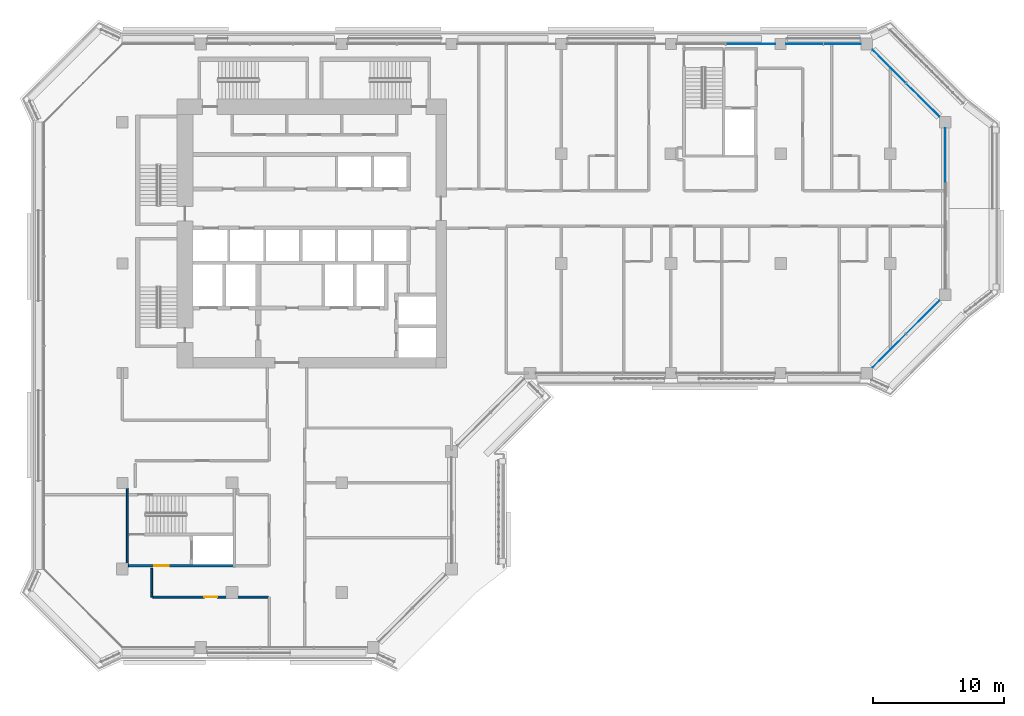
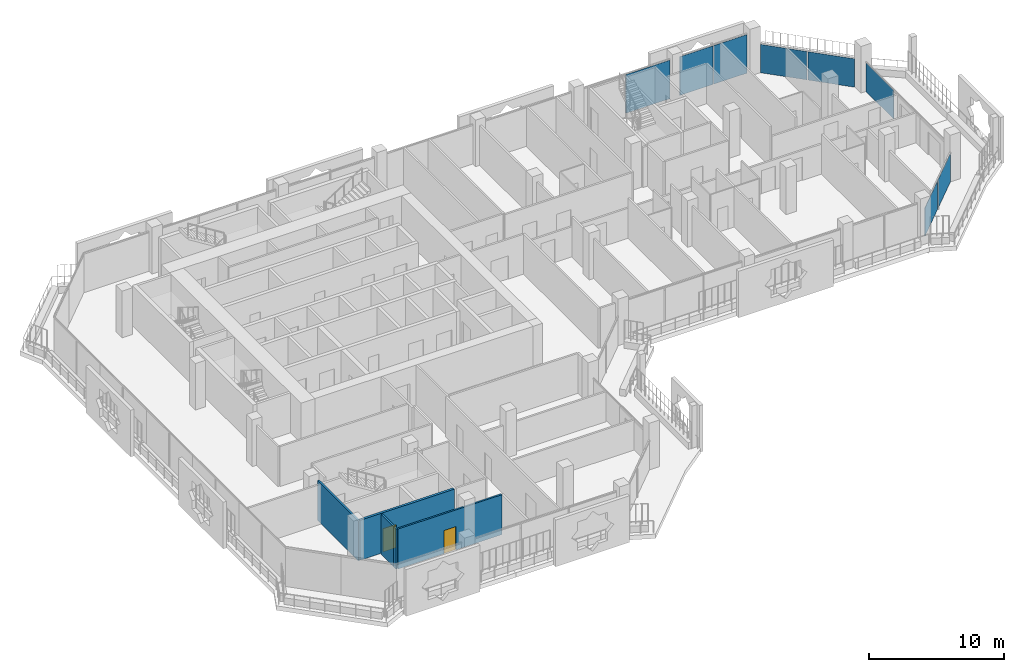
# One storey, part 9 of 22: 8 plates, 5 walls, 2 doors, 2 openings, 4 elements without a shape of their own.
"""IFC4 building model written with IfcOpenShell, lengths in metres."""

from ifc_helpers import new_model, si_unit, direction, frame, frame_2d, origin, origin_2d, place, context, subcontext, project, spatial, rectangle, extrude, material, layer, layer_set, type_object, element, fill, aggregate, save


model = new_model("IFC4")

# Units and contexts
model_context = context("Model", 3, precision=1e-05, world=origin(), true_north=direction((0.0, 1.0)))
body_context = subcontext(model_context, "Body", "Model", "MODEL_VIEW")
ifc_project = project(units=[si_unit("LENGTHUNIT", "METRE"), si_unit("AREAUNIT", "SQUARE_METRE"), si_unit("VOLUMEUNIT", "CUBIC_METRE"), si_unit("PLANEANGLEUNIT", "RADIAN"), si_unit("MASSUNIT", "GRAM", prefix="KILO")], contexts=[model_context])

# Site, building, storey
site_placement = place(None, origin())
site = spatial("IfcSite", under=ifc_project, at=site_placement, CompositionType="ELEMENT")
building_placement = place(site_placement, origin())
building = spatial("IfcBuilding", under=site, at=building_placement, Name="Kawkab Arch Medical Tower", CompositionType="ELEMENT")
storey_placement = place(building_placement, frame((0.0, 0.0, 251.60009765625)))
storey = spatial("IfcBuildingStorey", under=building, at=storey_placement, Name="L58", CompositionType="ELEMENT", Elevation=251.60009765625)

# Curtain wall, plate
ifc_material_1 = material(Name="Bronze anodised aluminium curtain wall frame", Category="aluminium")
ifc_layer_1 = layer(ifc_material_1, 0.159912109375)
ifc_layer_set_1 = layer_set([ifc_layer_1], Name="Bronze anodised aluminium curtain wall frame")
curtain_wall_type_1 = type_object("IfcCurtainWallType", Name="CW1 ward curtain wall", PredefinedType="NOTDEFINED", material=ifc_layer_set_1)
placement = place(storey_placement, origin())
curtain_wall_1 = element("IfcCurtainWall", 1, at=placement, inside=storey, type_object=curtain_wall_type_1, Name="CW1 Ward curtain wall R09", PredefinedType="NOTDEFINED")
ifc_material_2 = material(Name="Tinted insulating glass, bronze low-e coating", Category="glass")
ifc_layer_2 = layer(ifc_material_2, 0.031982421875)
ifc_layer_set_2 = layer_set([ifc_layer_2], Name="Tinted insulating glass, bronze low-e coating")
plate_type_1 = type_object("IfcPlateType", Name="CW1 glazing unit 32", PredefinedType="CURTAIN_PANEL", material=ifc_layer_set_2)
plate_1_placement = place(storey_placement, frame((63.0, -8.5, -0.000244140625), z_axis=(0.0, 0.0, 1.0), x_axis=(0.0, 1.0, 0.0)))
plate_1 = element("IfcPlate", 2, at=plate_1_placement, type_object=plate_type_1, Name="CW1 glazing unit 1.3", PredefinedType="CURTAIN_PANEL", context=body_context, shape_type="SweptSolid", body=[
    extrude(rectangle(XDim=4.10009765625, YDim=0.031982421875, at=origin_2d()), origin(), (0.0, 0.0, 1.0), 2.580078125),
])
aggregate(curtain_wall_1, [plate_1])

# Curtain wall, plates
curtain_wall_2 = element("IfcCurtainWall", 3, at=placement, inside=storey, type_object=curtain_wall_type_1, Name="CW1 Ward curtain wall R11", PredefinedType="NOTDEFINED")
plate_2_placement = place(storey_placement, frame((55.1337890625, 0.0, 0.0), z_axis=(0.0, 0.0, 1.0), x_axis=(-1.0, 0.0, 0.0)))
plate_2 = element("IfcPlate", 4, at=plate_2_placement, type_object=plate_type_1, Name="CW1 glazing unit 1.1", PredefinedType="CURTAIN_PANEL", context=body_context, shape_type="SweptSolid", body=[
    extrude(rectangle(XDim=2.83251953125, YDim=0.031982421875, at=origin_2d()), origin(), (0.0, 0.0, 1.0), 3.47998046875),
])
plate_3_placement = place(storey_placement, frame((52.2412109375, 0.0, 0.0), z_axis=(0.0, 0.0, 1.0), x_axis=(-1.0, 0.0, 0.0)))
plate_3 = element("IfcPlate", 5, at=plate_3_placement, type_object=plate_type_1, Name="CW1 glazing unit 1.2", PredefinedType="CURTAIN_PANEL", context=body_context, shape_type="SweptSolid", body=[
    extrude(rectangle(XDim=2.83251953125, YDim=0.031982421875, at=origin_2d()), origin(), (0.0, 0.0, 1.0), 3.47998046875),
])
plate_4_placement = place(storey_placement, frame((48.1025390625, 0.0, 0.0), z_axis=(0.0, 0.0, 1.0), x_axis=(-1.0, 0.0, 0.0)))
plate_4 = element("IfcPlate", 6, at=plate_4_placement, type_object=plate_type_1, Name="CW1 glazing unit 2.1", PredefinedType="CURTAIN_PANEL", context=body_context, shape_type="SweptSolid", body=[
    extrude(rectangle(XDim=3.7451171875, YDim=0.031982421875, at=origin_2d()), origin(), (0.0, 0.0, 1.0), 3.47998046875),
])
aggregate(curtain_wall_2, [plate_2, plate_3, plate_4])

ifc_material_3 = material(Name="Bronze anodised aluminium curtain wall frame", Category="aluminium")
ifc_layer_3 = layer(ifc_material_3, 0.159912109375)
ifc_layer_set_3 = layer_set([ifc_layer_3], Name="Bronze anodised aluminium curtain wall frame")
curtain_wall_type_2 = type_object("IfcCurtainWallType", Name="CW2 chamfer curtain wall", PredefinedType="NOTDEFINED", material=ifc_layer_set_3)
curtain_wall_3 = element("IfcCurtainWall", 7, at=placement, inside=storey, type_object=curtain_wall_type_2, Name="CW2 Chamfer curtain wall R08", PredefinedType="NOTDEFINED")
ifc_material_4 = material(Name="Tinted insulating glass, bronze low-e coating", Category="glass")
ifc_layer_4 = layer(ifc_material_4, 0.031982421875)
ifc_layer_set_4 = layer_set([ifc_layer_4], Name="Tinted insulating glass, bronze low-e coating")
plate_type_2 = type_object("IfcPlateType", Name="CW2 glazing unit 32", PredefinedType="CURTAIN_PANEL", material=ifc_layer_set_4)
plate_5_placement = place(storey_placement, frame((58.71435546875, -23.485595703125, -0.000244140625), z_axis=(0.0, 0.0, 1.0), x_axis=(0.707106781187, 0.707106781187, 0.0)))
plate_5 = element("IfcPlate", 8, at=plate_5_placement, type_object=plate_type_2, Name="CW2 glazing unit 1.1", PredefinedType="CURTAIN_PANEL", context=body_context, shape_type="SweptSolid", body=[
    extrude(rectangle(XDim=3.576171875, YDim=0.031982421875, at=origin_2d()), origin(), (0.0, 0.0, 1.0), 2.56005859375),
])
plate_6_placement = place(storey_placement, frame((61.28564453125, -20.914306640625, -0.000244140625), z_axis=(0.0, 0.0, 1.0), x_axis=(0.707106781187, 0.707106781187, 0.0)))
plate_6 = element("IfcPlate", 9, at=plate_6_placement, type_object=plate_type_2, Name="CW2 glazing unit 1.2", PredefinedType="CURTAIN_PANEL", context=body_context, shape_type="SweptSolid", body=[
    extrude(rectangle(XDim=3.576171875, YDim=0.031982421875, at=origin_2d()), origin(), (0.0, 0.0, 1.0), 2.56005859375),
])
aggregate(curtain_wall_3, [plate_5, plate_6])

curtain_wall_4 = element("IfcCurtainWall", 10, at=placement, inside=storey, type_object=curtain_wall_type_2, Name="CW2 Chamfer curtain wall R10", PredefinedType="NOTDEFINED")
plate_7_placement = place(storey_placement, frame((61.28564453125, -4.28564453125, -0.000244140625), z_axis=(0.0, 0.0, 1.0), x_axis=(-0.707106781187, 0.707106781187, 0.0)))
plate_7 = element("IfcPlate", 11, at=plate_7_placement, type_object=plate_type_2, Name="CW2 glazing unit 1.1", PredefinedType="CURTAIN_PANEL", context=body_context, shape_type="SweptSolid", body=[
    extrude(rectangle(XDim=3.576171875, YDim=0.031982421875, at=origin_2d()), origin(), (0.0, 0.0, 1.0), 2.56005859375),
])
plate_8_placement = place(storey_placement, frame((58.71435546875, -1.71435546875, -0.000244140625), z_axis=(0.0, 0.0, 1.0), x_axis=(-0.707106781187, 0.707106781187, 0.0)))
plate_8 = element("IfcPlate", 12, at=plate_8_placement, type_object=plate_type_2, Name="CW2 glazing unit 1.2", PredefinedType="CURTAIN_PANEL", context=body_context, shape_type="SweptSolid", body=[
    extrude(rectangle(XDim=3.576171875, YDim=0.031982421875, at=origin_2d()), origin(), (0.0, 0.0, 1.0), 2.56005859375),
])
aggregate(curtain_wall_4, [plate_7, plate_8])

# Wall, opening, door
ifc_material_5 = material(Name="Gypsum board partition on steel studs, mineral wool", Category="steel")
ifc_layer_5 = layer(ifc_material_5, 0.14990234375)
ifc_layer_set_5 = layer_set([ifc_layer_5], Name="Gypsum board partition on steel studs, mineral wool")
wall_type_1 = type_object("IfcWallType", Name="Partition 150", PredefinedType="PARTITIONING", material=ifc_layer_set_5)
wall_1_placement = place(storey_placement, frame((2.326904296875, -42.35009765625, 0.0), z_axis=(0.0, 0.0, 1.0), x_axis=(1.0, 0.0, 0.0)))
wall_1 = element("IfcWall", 13, at=wall_1_placement, inside=storey, type_object=wall_type_1, Name="Partition 150 w012", PredefinedType="PARTITIONING", context=body_context, shape_type="SweptSolid", body=[
    extrude(rectangle(XDim=8.84814453125, YDim=0.14990234375, at=frame_2d((4.424072265625, 0.0))), origin(), (0.0, 0.0, 1.0), 3.599853515625),
])
opening_1_placement = place(wall_1_placement, frame((3.924072265625, 0.0, 0.0)))
opening_1 = element("IfcOpeningElement", 14, at=opening_1_placement, cuts=wall_1, Name="Opening W53-020", PredefinedType="OPENING", context=body_context, shape_type="SweptSolid", body=[
    extrude(rectangle(XDim=1.0, YDim=2.10009765625, at=frame_2d((0.5, 1.050048828125))), frame((0.0, 0.0849609375, 0.0), z_axis=(0.0, -1.0, 0.0), x_axis=(1.0, 0.0, 0.0)), (0.0, 0.0, 1.0), 0.169921875),
])
ifc_material_6 = material(Name="Hollow metal door leaf")
door_type_1 = type_object("IfcDoorType", Name="Single door 1000x2100 FD30S", OperationType="NOTDEFINED", PredefinedType="DOOR", material=ifc_material_6)
door_1_placement = place(opening_1_placement, origin())
door_1 = element("IfcDoor", 15, at=door_1_placement, inside=storey, type_object=door_type_1, Name="Door W53-020", OperationType="SINGLE_SWING_LEFT", OverallHeight=2.10009765625, OverallWidth=1.0, PredefinedType="DOOR", context=body_context, shape_type="SweptSolid", body=[
    extrude(rectangle(XDim=1.0, YDim=2.10009765625, at=frame_2d((0.5, 1.050048828125))), frame((0.0, 0.02490234375, 0.0), z_axis=(0.0, -1.0, 0.0), x_axis=(1.0, 0.0, 0.0)), (0.0, 0.0, 1.0), 0.050048828125),
])
fill(opening_1, door_1)

# Walls
wall_2_placement = place(storey_placement, frame((2.25, -42.347900390625, 0.0), z_axis=(0.0, 0.0, 1.0), x_axis=(0.0, 1.0, 0.0)))
element("IfcWall", 16, at=wall_2_placement, inside=storey, type_object=wall_type_1, Name="Partition 150 w033", PredefinedType="PARTITIONING", context=body_context, shape_type="SweptSolid", body=[
    extrude(rectangle(XDim=0.347900390625, YDim=0.14990234375, at=frame_2d((0.173828125, 0.0))), origin(), (0.0, 0.0, 1.0), 3.599853515625),
])
wall_3_placement = place(storey_placement, frame((2.25, -41.97998046875, 0.0), z_axis=(0.0, 0.0, 1.0), x_axis=(0.0, 1.0, 0.0)))
element("IfcWall", 17, at=wall_3_placement, inside=storey, type_object=wall_type_1, Name="Partition 150 w034", PredefinedType="PARTITIONING", context=body_context, shape_type="SweptSolid", body=[
    extrude(rectangle(XDim=1.830078125, YDim=0.14990234375, at=frame_2d((0.9150390625, 0.0))), origin(), (0.0, 0.0, 1.0), 3.599853515625),
])
ifc_material_7 = material(Name="Concrete C50/60", Category="concrete")
ifc_layer_6 = layer(ifc_material_7, 0.14990234375)
ifc_layer_set_6 = layer_set([ifc_layer_6], Name="Concrete C50/60")
wall_type_2 = type_object("IfcWallType", Name="Stair enclosure wall 150 C50/60", PredefinedType="SHEAR", material=ifc_layer_set_6)
wall_4_placement = place(storey_placement, frame((0.375, -40.050048828125, 0.0), z_axis=(0.0, 0.0, 1.0), x_axis=(0.0, 1.0, 0.0)))
element("IfcWall", 18, at=wall_4_placement, inside=storey, type_object=wall_type_2, Name="L58 stair enclosure wall", PredefinedType="SHEAR", context=body_context, shape_type="SweptSolid", body=[
    extrude(rectangle(XDim=6.025146484375, YDim=0.14990234375, at=frame_2d((3.0126953125, 0.0))), origin(), (0.0, 0.0, 1.0), 3.599853515625),
])

# Wall, opening, door
ifc_material_8 = material(Name="Concrete C50/60", Category="concrete")
ifc_layer_7 = layer(ifc_material_8, 0.199951171875)
ifc_layer_set_7 = layer_set([ifc_layer_7], Name="Concrete C50/60")
wall_type_3 = type_object("IfcWallType", Name="Stair enclosure wall 200 C50/60", PredefinedType="SHEAR", material=ifc_layer_set_7)
wall_5_placement = place(storey_placement, frame((0.449951171875, -39.949951171875, 0.0), z_axis=(0.0, 0.0, 1.0), x_axis=(1.0, 0.0, 0.0)))
wall_5 = element("IfcWall", 19, at=wall_5_placement, inside=storey, type_object=wall_type_3, Name="L58 stair enclosure wall", PredefinedType="SHEAR", context=body_context, shape_type="SweptSolid", body=[
    extrude(rectangle(XDim=8.050048828125, YDim=0.199951171875, at=frame_2d((4.02490234375, 0.0))), origin(), (0.0, 0.0, 1.0), 3.599853515625),
])
opening_2_placement = place(wall_5_placement, frame((2.0, 0.0, 0.0)))
opening_2 = element("IfcOpeningElement", 20, at=opening_2_placement, cuts=wall_5, Name="Opening FD", PredefinedType="OPENING", context=body_context, shape_type="SweptSolid", body=[
    extrude(rectangle(XDim=1.10009765625, YDim=2.10009765625, at=frame_2d((0.550048828125, 1.050048828125))), frame((0.0, 0.10986328125, 0.0), z_axis=(0.0, -1.0, 0.0), x_axis=(1.0, 0.0, 0.0)), (0.0, 0.0, 1.0), 0.219970703125),
])
ifc_material_9 = material(Name="Hollow metal fire door leaf")
door_type_2 = type_object("IfcDoorType", Name="Firefighting lobby door 1100", OperationType="SINGLE_SWING_LEFT", PredefinedType="DOOR", material=ifc_material_9)
door_2_placement = place(opening_2_placement, origin())
door_2 = element("IfcDoor", 21, at=door_2_placement, inside=storey, type_object=door_type_2, Name="L58 Service lift lobby door SV2", OperationType="SINGLE_SWING_LEFT", OverallHeight=2.10009765625, OverallWidth=1.10009765625, PredefinedType="DOOR", context=body_context, shape_type="SweptSolid", body=[
    extrude(rectangle(XDim=1.10009765625, YDim=2.10009765625, at=frame_2d((0.550048828125, 1.050048828125))), frame((0.0, 0.02490234375, 0.0), z_axis=(0.0, -1.0, 0.0), x_axis=(1.0, 0.0, 0.0)), (0.0, 0.0, 1.0), 0.050048828125),
])
fill(opening_2, door_2)

save(model, "model.ifc")
